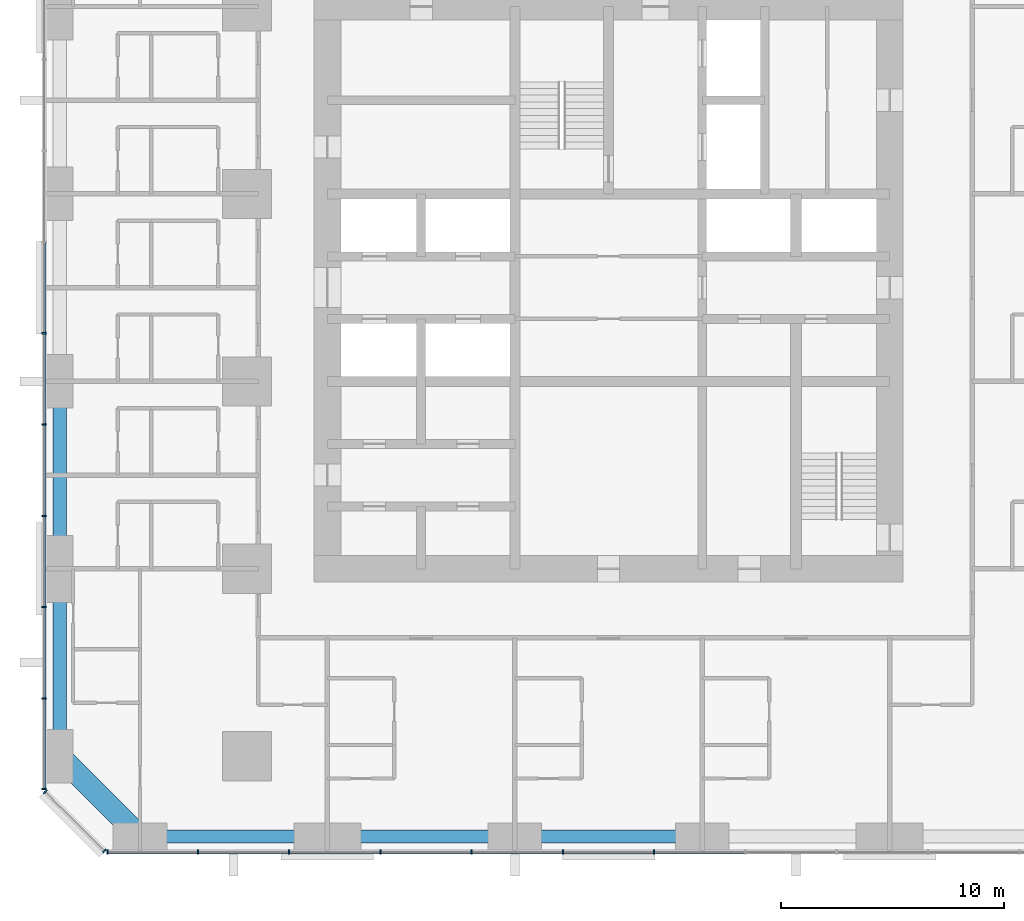
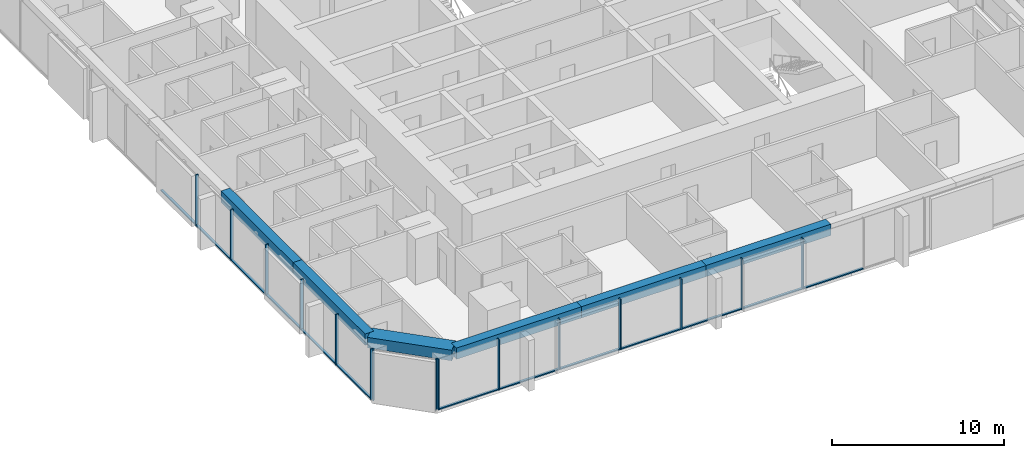
# One storey, part 2 of 13: 28 members, 6 beams, 3 elements without a shape of their own.
"""IFC4 building model written with IfcOpenShell, lengths in metres."""

import ifcopenshell
import ifcopenshell.guid

model = None  # the IFC model being written
_history = None  # IfcOwnerHistory: only IFC2X3 demands one
_inside = {}  # id of a spatial element -> (the spatial element, [elements in it])
_under = {}  # id of a project, library or spatial element -> (it, [spatial elements below it])
_declared = {}  # id of a project -> (the project, [libraries it declares])
_typed = {}  # id of a type object -> (the type object, [elements of that type])
_made_of = {}  # id of a material, layer set ... -> (it, [elements and type objects made of it])


def new_model(schema):
    """Start an empty IFC model of exactly this schema.

    Asked for "IFC4X3", IfcOpenShell would pick the latest addendum, in which some entities
    have other attributes; the version numbers below select the first issue.
    IFC2X3 requires an IfcOwnerHistory on every rooted entity: one is made here for all.
    """
    global model, _history
    if schema == "IFC4X3":
        model = ifcopenshell.file(schema_version=(4, 3, 0, 0))
    else:
        model = ifcopenshell.file(schema=schema)
    _inside.clear()
    _under.clear()
    _declared.clear()
    _typed.clear()
    _made_of.clear()
    _history = None
    if model.schema == "IFC2X3":
        org = make("IfcOrganization", Name="unknown")
        user = make(
            "IfcPersonAndOrganization",
            ThePerson=make("IfcPerson", FamilyName="unknown"),
            TheOrganization=org,
        )
        app = make(
            "IfcApplication",
            ApplicationDeveloper=org,
            Version="unknown",
            ApplicationFullName="unknown",
            ApplicationIdentifier="unknown",
        )
        _history = make(
            "IfcOwnerHistory",
            OwningUser=user,
            OwningApplication=app,
            ChangeAction="ADDED",
            CreationDate=0,
        )
    return model


def make(cls, **values):
    """One entity of the class cls with the attributes given. An attribute that is None is left unset."""
    return model.create_entity(
        cls, **{name: value for name, value in values.items() if value is not None}
    )


def rooted(cls, **values):
    """An entity with a GlobalId (a new one), such as an element, a storey or a relation."""
    return make(cls, GlobalId=ifcopenshell.guid.new(), OwnerHistory=_history, **values)


def si_unit(unit_type, name, prefix=None):
    """IfcSIUnit, for example si_unit("LENGTHUNIT", "METRE", prefix="MILLI")."""
    return make("IfcSIUnit", UnitType=unit_type, Prefix=prefix, Name=name)


def assignment(units):
    """IfcUnitAssignment: the units of a project."""
    return None if units is None else make("IfcUnitAssignment", Units=units)


def point(xyz):
    """IfcCartesianPoint."""
    return None if xyz is None else make("IfcCartesianPoint", Coordinates=xyz)


def direction(xyz):
    """IfcDirection."""
    return None if xyz is None else make("IfcDirection", DirectionRatios=xyz)


def frame(location, z_axis=None, x_axis=None):
    """IfcAxis2Placement3D, a coordinate frame: its origin and axes. An axis left out is left unset."""
    return make(
        "IfcAxis2Placement3D",
        Location=point(location),
        Axis=direction(z_axis),
        RefDirection=direction(x_axis),
    )


def frame_2d(location, x_axis=None):
    """IfcAxis2Placement2D, a coordinate frame in the plane: its origin and x axis."""
    return make(
        "IfcAxis2Placement2D", Location=point(location), RefDirection=direction(x_axis)
    )


def origin():
    """The frame at (0, 0, 0) with its axes left unset."""
    return frame((0.0, 0.0, 0.0))


def origin_2d():
    """The frame at (0, 0) in the plane with its x axis left unset."""
    return frame_2d((0.0, 0.0))


def place(relative_to, where):
    """IfcLocalPlacement: puts the frame where relative to a parent placement (None: the world)."""
    return make(
        "IfcLocalPlacement", PlacementRelTo=relative_to, RelativePlacement=where
    )


def context(
    kind, dimensions, precision=None, world=None, true_north=None, identifier=None
):
    """IfcGeometricRepresentationContext, for example the 3D "Model" context."""
    return make(
        "IfcGeometricRepresentationContext",
        ContextIdentifier=identifier,
        ContextType=kind,
        CoordinateSpaceDimension=dimensions,
        Precision=precision,
        WorldCoordinateSystem=world,
        TrueNorth=true_north,
    )


def subcontext(parent, identifier, kind, view, scale=None):
    """IfcGeometricRepresentationSubContext, for example "Body" below "Model"."""
    return make(
        "IfcGeometricRepresentationSubContext",
        ContextIdentifier=identifier,
        ContextType=kind,
        ParentContext=parent,
        TargetScale=scale,
        TargetView=view,
    )


def project(units=None, contexts=None):
    """IfcProject with its units and contexts."""
    return rooted(
        "IfcProject",
        Name="project",
        RepresentationContexts=contexts,
        UnitsInContext=assignment(units),
    )


def spatial(cls, under=None, at=None, **own):
    """A site, building, storey or space (cls), placed at a placement, below another one or the project."""
    s = rooted(cls, ObjectPlacement=at, **own)
    if under is not None:
        _under.setdefault(under.id(), (under, []))[1].append(s)
    return s


def profile(cls, at=None, kind="AREA", **sizes):
    """A parametric profile (cls). Its sizes go by their IFC names, for example OverallWidth=200.0."""
    return make(cls, ProfileType=kind, Position=at, **sizes)


def rectangle(**sizes):
    """IfcRectangleProfileDef."""
    return profile("IfcRectangleProfileDef", **sizes)


def extrude(swept, where, along, depth):
    """IfcExtrudedAreaSolid: the profile swept, set in the frame where, extruded along a direction by depth."""
    return make(
        "IfcExtrudedAreaSolid",
        SweptArea=swept,
        Position=where,
        ExtrudedDirection=direction(along),
        Depth=depth,
    )


def shape(context_of_items, identifier, shape_type, items):
    """IfcShapeRepresentation: the items that make up one representation, for example the "Body"."""
    return make(
        "IfcShapeRepresentation",
        ContextOfItems=context_of_items,
        RepresentationIdentifier=identifier,
        RepresentationType=shape_type,
        Items=items,
    )


def material(Name=None, Category=None):
    """IfcMaterial."""
    return make("IfcMaterial", Name=Name, Category=Category)


def material_profile(
    of_material, cross_section, Name=None, Category=None, Priority=None
):
    """IfcMaterialProfile: a cross section and its material."""
    return make(
        "IfcMaterialProfile",
        Name=Name,
        Material=of_material,
        Profile=cross_section,
        Priority=Priority,
        Category=Category,
    )


def profile_set(profiles, Name=None, composite=None):
    """IfcMaterialProfileSet."""
    return make(
        "IfcMaterialProfileSet",
        Name=Name,
        MaterialProfiles=profiles,
        CompositeProfile=composite,
    )


def made_of(thing, what):
    """Note that an element or type object is made of a material, layer set ...; save() writes the relation."""
    if what is not None:
        _made_of.setdefault(what.id(), (what, []))[1].append(thing)
    return thing


def type_object(cls, material=None, **own):
    """A type object (cls), such as IfcWallType, which elements share."""
    return made_of(rooted(cls, **own), material)


def element(
    cls,
    number,
    at=None,
    inside=None,
    cuts=None,
    type_object=None,
    material=None,
    context=None,
    identifier="Body",
    shape_type=None,
    held_by="IfcProductDefinitionShape",
    body=None,
    shapes=None,
    **own,
):
    """One element of the class cls, such as IfcWall. Its Tag is "e" and its number.

    at: its placement. inside: the storey or other place that contains it. cuts: it is an
    opening in that element (IfcRelVoidsElement). A single representation is given by context,
    identifier, shape_type and body (its items); several are given by shapes. held_by: the class
    of the entity that holds the representations. save() writes the other relations.
    """
    e = rooted(cls, Tag="e%d" % number, ObjectPlacement=at, **own)
    if body is not None:
        shapes = [shape(context, identifier, shape_type, body)]
    if shapes is not None:
        e.Representation = make(held_by, Representations=shapes)
    if inside is not None:
        _inside.setdefault(inside.id(), (inside, []))[1].append(e)
    if cuts is not None:
        rooted(
            "IfcRelVoidsElement", RelatingBuildingElement=cuts, RelatedOpeningElement=e
        )
    if type_object is not None:
        _typed.setdefault(type_object.id(), (type_object, []))[1].append(e)
    return made_of(e, material)


def aggregate(whole, parts):
    """IfcRelAggregates: a whole, such as a stair, and the parts it consists of."""
    return rooted("IfcRelAggregates", RelatingObject=whole, RelatedObjects=parts)


def save(model, path):
    """Write the relations noted so far, then the file.

    IfcRelAggregates (storeys below a building ...), IfcRelContainedInSpatialStructure (elements
    in a storey), IfcRelDefinesByType, IfcRelAssociatesMaterial and IfcRelDeclares: one each for
    every whole, place, type object, material and project.
    """
    for whole, parts in _under.values():
        aggregate(whole, parts)
    for where, things in _inside.values():
        rooted(
            "IfcRelContainedInSpatialStructure",
            RelatedElements=things,
            RelatingStructure=where,
        )
    for kind, things in _typed.values():
        rooted("IfcRelDefinesByType", RelatedObjects=things, RelatingType=kind)
    for what, things in _made_of.values():
        rooted("IfcRelAssociatesMaterial", RelatedObjects=things, RelatingMaterial=what)
    for by, libraries in _declared.values():
        rooted("IfcRelDeclares", RelatingContext=by, RelatedDefinitions=libraries)
    model.write(path)


model = new_model("IFC4")

# Units and contexts
model_context = context("Model", 3, precision=1e-05, world=origin(), true_north=direction((0.0, 1.0)))
body_context = subcontext(model_context, "Body", "Model", "MODEL_VIEW")
ifc_project = project(units=[si_unit("LENGTHUNIT", "METRE"), si_unit("AREAUNIT", "SQUARE_METRE"), si_unit("VOLUMEUNIT", "CUBIC_METRE"), si_unit("PLANEANGLEUNIT", "RADIAN"), si_unit("MASSUNIT", "GRAM", prefix="KILO")], contexts=[model_context])

# Site, building, storey
site_placement = place(None, origin())
site = spatial("IfcSite", under=ifc_project, at=site_placement, CompositionType="ELEMENT")
building_placement = place(site_placement, origin())
building = spatial("IfcBuilding", under=site, at=building_placement, Name="Dunama Terrace Hotel", CompositionType="ELEMENT")
storey_placement = place(building_placement, frame((0.0, 0.0, 162.60009765625)))
storey = spatial("IfcBuildingStorey", under=building, at=storey_placement, Name="L41", CompositionType="ELEMENT", Elevation=162.60009765625)

# Curtain wall, members
ifc_material_1 = material(Name="Aluminium curtain wall system", Category="aluminium")
curtain_wall_type = type_object("IfcCurtainWallType", Name="Unitised fritted glass wall CW-C", PredefinedType="NOTDEFINED", material=ifc_material_1)
curtain_wall_1_placement = place(storey_placement, origin())
curtain_wall_1 = element("IfcCurtainWall", 1, at=curtain_wall_1_placement, inside=storey, type_object=curtain_wall_type, Name="Unitised fritted glass wall CW-C L41", PredefinedType="NOTDEFINED")
ifc_material_2 = material(Name="Aluminium mullion", Category="aluminium")
ifc_material_profile_1 = material_profile(ifc_material_2, rectangle(XDim=0.070068359375, YDim=0.199951171875, at=origin_2d()), Name="CWC MULLION 70X200")
ifc_profile_set_1 = profile_set([ifc_material_profile_1], Name="Aluminium mullion")
member_type_1 = type_object("IfcMemberType", Name="CWC mullion 70x200", PredefinedType="MULLION", material=ifc_profile_set_1)
member_1_placement = place(storey_placement, frame((6.93505859375, 4.10009765625, 0.0), z_axis=(0.0, 0.0, 1.0), x_axis=(1.0, 0.0, 0.0)))
member_1 = element("IfcMember", 2, at=member_1_placement, type_object=member_type_1, Name="CWC mullion", PredefinedType="MULLION", context=body_context, shape_type="SweptSolid", body=[
    extrude(rectangle(XDim=0.070068359375, YDim=0.199951171875, at=origin_2d()), origin(), (0.0, 0.0, 1.0), 3.599853515625),
])
member_2_placement = place(storey_placement, frame((10.990966796875, 4.10009765625, 0.0), z_axis=(0.0, 0.0, 1.0), x_axis=(1.0, 0.0, 0.0)))
member_2 = element("IfcMember", 3, at=member_2_placement, type_object=member_type_1, Name="CWC mullion", PredefinedType="MULLION", context=body_context, shape_type="SweptSolid", body=[
    extrude(rectangle(XDim=0.070068359375, YDim=0.199951171875, at=origin_2d()), origin(), (0.0, 0.0, 1.0), 3.599853515625),
])
member_3_placement = place(storey_placement, frame((15.08203125, 4.10009765625, 0.0), z_axis=(0.0, 0.0, 1.0), x_axis=(1.0, 0.0, 0.0)))
member_3 = element("IfcMember", 4, at=member_3_placement, type_object=member_type_1, Name="CWC mullion", PredefinedType="MULLION", context=body_context, shape_type="SweptSolid", body=[
    extrude(rectangle(XDim=0.070068359375, YDim=0.199951171875, at=origin_2d()), origin(), (0.0, 0.0, 1.0), 3.599853515625),
])
member_4_placement = place(storey_placement, frame((19.173095703125, 4.10009765625, 0.0), z_axis=(0.0, 0.0, 1.0), x_axis=(1.0, 0.0, 0.0)))
member_4 = element("IfcMember", 5, at=member_4_placement, type_object=member_type_1, Name="CWC mullion", PredefinedType="MULLION", context=body_context, shape_type="SweptSolid", body=[
    extrude(rectangle(XDim=0.070068359375, YDim=0.199951171875, at=origin_2d()), origin(), (0.0, 0.0, 1.0), 3.599853515625),
])
member_5_placement = place(storey_placement, frame((23.263916015625, 4.10009765625, 0.0), z_axis=(0.0, 0.0, 1.0), x_axis=(1.0, 0.0, 0.0)))
member_5 = element("IfcMember", 6, at=member_5_placement, type_object=member_type_1, Name="CWC mullion", PredefinedType="MULLION", context=body_context, shape_type="SweptSolid", body=[
    extrude(rectangle(XDim=0.070068359375, YDim=0.199951171875, at=origin_2d()), origin(), (0.0, 0.0, 1.0), 3.599853515625),
])
member_6_placement = place(storey_placement, frame((27.35498046875, 4.10009765625, 0.0), z_axis=(0.0, 0.0, 1.0), x_axis=(1.0, 0.0, 0.0)))
member_6 = element("IfcMember", 7, at=member_6_placement, type_object=member_type_1, Name="CWC mullion", PredefinedType="MULLION", context=body_context, shape_type="SweptSolid", body=[
    extrude(rectangle(XDim=0.070068359375, YDim=0.199951171875, at=origin_2d()), origin(), (0.0, 0.0, 1.0), 3.599853515625),
])
member_7_placement = place(storey_placement, frame((31.445068359375, 4.10009765625, 0.0), z_axis=(0.0, 0.0, 1.0), x_axis=(1.0, 0.0, 0.0)))
member_7 = element("IfcMember", 8, at=member_7_placement, type_object=member_type_1, Name="CWC mullion", PredefinedType="MULLION", context=body_context, shape_type="SweptSolid", body=[
    extrude(rectangle(XDim=0.070068359375, YDim=0.199951171875, at=origin_2d()), origin(), (0.0, 0.0, 1.0), 3.599853515625),
])

curtain_wall_2_placement = place(storey_placement, origin())
curtain_wall_2 = element("IfcCurtainWall", 9, at=curtain_wall_2_placement, inside=storey, type_object=curtain_wall_type, Name="Unitised fritted glass wall CW-C L41", PredefinedType="NOTDEFINED")
member_8_placement = place(storey_placement, frame((4.10009765625, 27.35498046875, 0.0), z_axis=(0.0, 0.0, 1.0), x_axis=(0.0, -1.0, 0.0)))
member_8 = element("IfcMember", 10, at=member_8_placement, type_object=member_type_1, Name="CWC mullion", PredefinedType="MULLION", context=body_context, shape_type="SweptSolid", body=[
    extrude(rectangle(XDim=0.070068359375, YDim=0.199951171875, at=origin_2d()), origin(), (0.0, 0.0, 1.0), 3.599853515625),
])
member_9_placement = place(storey_placement, frame((4.10009765625, 23.263916015625, 0.0), z_axis=(0.0, 0.0, 1.0), x_axis=(0.0, -1.0, 0.0)))
member_9 = element("IfcMember", 11, at=member_9_placement, type_object=member_type_1, Name="CWC mullion", PredefinedType="MULLION", context=body_context, shape_type="SweptSolid", body=[
    extrude(rectangle(XDim=0.070068359375, YDim=0.199951171875, at=origin_2d()), origin(), (0.0, 0.0, 1.0), 3.599853515625),
])
member_10_placement = place(storey_placement, frame((4.10009765625, 19.173095703125, 0.0), z_axis=(0.0, 0.0, 1.0), x_axis=(0.0, -1.0, 0.0)))
member_10 = element("IfcMember", 12, at=member_10_placement, type_object=member_type_1, Name="CWC mullion", PredefinedType="MULLION", context=body_context, shape_type="SweptSolid", body=[
    extrude(rectangle(XDim=0.070068359375, YDim=0.199951171875, at=origin_2d()), origin(), (0.0, 0.0, 1.0), 3.599853515625),
])
member_11_placement = place(storey_placement, frame((4.10009765625, 15.08203125, 0.0), z_axis=(0.0, 0.0, 1.0), x_axis=(0.0, -1.0, 0.0)))
member_11 = element("IfcMember", 13, at=member_11_placement, type_object=member_type_1, Name="CWC mullion", PredefinedType="MULLION", context=body_context, shape_type="SweptSolid", body=[
    extrude(rectangle(XDim=0.070068359375, YDim=0.199951171875, at=origin_2d()), origin(), (0.0, 0.0, 1.0), 3.599853515625),
])
member_12_placement = place(storey_placement, frame((4.10009765625, 10.990966796875, 0.0), z_axis=(0.0, 0.0, 1.0), x_axis=(0.0, -1.0, 0.0)))
member_12 = element("IfcMember", 14, at=member_12_placement, type_object=member_type_1, Name="CWC mullion", PredefinedType="MULLION", context=body_context, shape_type="SweptSolid", body=[
    extrude(rectangle(XDim=0.070068359375, YDim=0.199951171875, at=origin_2d()), origin(), (0.0, 0.0, 1.0), 3.599853515625),
])
member_13_placement = place(storey_placement, frame((4.10009765625, 6.93505859375, 0.0), z_axis=(0.0, 0.0, 1.0), x_axis=(0.0, -1.0, 0.0)))
member_13 = element("IfcMember", 15, at=member_13_placement, type_object=member_type_1, Name="CWC mullion", PredefinedType="MULLION", context=body_context, shape_type="SweptSolid", body=[
    extrude(rectangle(XDim=0.070068359375, YDim=0.199951171875, at=origin_2d()), origin(), (0.0, 0.0, 1.0), 3.599853515625),
])

curtain_wall_3_placement = place(storey_placement, origin())
curtain_wall_3 = element("IfcCurtainWall", 16, at=curtain_wall_3_placement, inside=storey, type_object=curtain_wall_type, Name="Unitised fritted glass wall CW-C L41", PredefinedType="NOTDEFINED")
member_14_placement = place(storey_placement, frame((4.154052734375, 6.804931640625, 0.0), z_axis=(0.0, 0.0, 1.0), x_axis=(0.707106781187, -0.707106781187, 0.0)))
member_14 = element("IfcMember", 17, at=member_14_placement, type_object=member_type_1, Name="CWC mullion", PredefinedType="MULLION", context=body_context, shape_type="SweptSolid", body=[
    extrude(rectangle(XDim=0.070068359375, YDim=0.199951171875, at=origin_2d()), origin(), (0.0, 0.0, 1.0), 3.599853515625),
])
member_15_placement = place(storey_placement, frame((6.804931640625, 4.154052734375, 0.0), z_axis=(0.0, 0.0, 1.0), x_axis=(0.707106781187, -0.707106781187, 0.0)))
member_15 = element("IfcMember", 18, at=member_15_placement, type_object=member_type_1, Name="CWC mullion", PredefinedType="MULLION", context=body_context, shape_type="SweptSolid", body=[
    extrude(rectangle(XDim=0.070068359375, YDim=0.199951171875, at=origin_2d()), origin(), (0.0, 0.0, 1.0), 3.599853515625),
])
aggregate(curtain_wall_3, [member_14, member_15])

# Member
ifc_material_3 = material(Name="Aluminium transom", Category="aluminium")
ifc_material_profile_2 = material_profile(ifc_material_3, rectangle(XDim=0.159912109375, YDim=0.080078125, at=origin_2d()), Name="CWC TRANSOM 160X80")
ifc_profile_set_2 = profile_set([ifc_material_profile_2], Name="Aluminium transom")
member_type_2 = type_object("IfcMemberType", Name="CWC transom 160x80", PredefinedType="USERDEFINED", material=ifc_profile_set_2)
member_16_placement = place(storey_placement, frame((6.969970703125, 4.10009765625, 0.039794921875), z_axis=(1.0, 0.0, 0.0), x_axis=(0.0, 1.0, 0.0)))
member_16 = element("IfcMember", 19, at=member_16_placement, type_object=member_type_2, Name="CWC transom", ObjectType="TRANSOM", PredefinedType="USERDEFINED", context=body_context, shape_type="SweptSolid", body=[
    extrude(rectangle(XDim=0.159912109375, YDim=0.080078125, at=origin_2d()), origin(), (0.0, 0.0, 1.0), 3.986083984375),
])

member_17_placement = place(storey_placement, frame((11.02587890625, 4.10009765625, 0.039794921875), z_axis=(1.0, 0.0, 0.0), x_axis=(0.0, 1.0, 0.0)))
member_17 = element("IfcMember", 20, at=member_17_placement, type_object=member_type_2, Name="CWC transom", ObjectType="TRANSOM", PredefinedType="USERDEFINED", context=body_context, shape_type="SweptSolid", body=[
    extrude(rectangle(XDim=0.159912109375, YDim=0.080078125, at=origin_2d()), origin(), (0.0, 0.0, 1.0), 4.021240234375),
])

member_18_placement = place(storey_placement, frame((15.116943359375, 4.10009765625, 0.039794921875), z_axis=(1.0, 0.0, 0.0), x_axis=(0.0, 1.0, 0.0)))
member_18 = element("IfcMember", 21, at=member_18_placement, type_object=member_type_2, Name="CWC transom", ObjectType="TRANSOM", PredefinedType="USERDEFINED", context=body_context, shape_type="SweptSolid", body=[
    extrude(rectangle(XDim=0.159912109375, YDim=0.080078125, at=origin_2d()), origin(), (0.0, 0.0, 1.0), 4.02099609375),
])

member_19_placement = place(storey_placement, frame((19.2080078125, 4.10009765625, 0.039794921875), z_axis=(1.0, 0.0, 0.0), x_axis=(0.0, 1.0, 0.0)))
member_19 = element("IfcMember", 22, at=member_19_placement, type_object=member_type_2, Name="CWC transom", ObjectType="TRANSOM", PredefinedType="USERDEFINED", context=body_context, shape_type="SweptSolid", body=[
    extrude(rectangle(XDim=0.159912109375, YDim=0.080078125, at=origin_2d()), origin(), (0.0, 0.0, 1.0), 4.02099609375),
])

member_20_placement = place(storey_placement, frame((23.299072265625, 4.10009765625, 0.039794921875), z_axis=(1.0, 0.0, 0.0), x_axis=(0.0, 1.0, 0.0)))
member_20 = element("IfcMember", 23, at=member_20_placement, type_object=member_type_2, Name="CWC transom", ObjectType="TRANSOM", PredefinedType="USERDEFINED", context=body_context, shape_type="SweptSolid", body=[
    extrude(rectangle(XDim=0.159912109375, YDim=0.080078125, at=origin_2d()), origin(), (0.0, 0.0, 1.0), 4.02099609375),
])

member_21_placement = place(storey_placement, frame((27.389892578125, 4.10009765625, 0.039794921875), z_axis=(1.0, 0.0, 0.0), x_axis=(0.0, 1.0, 0.0)))
member_21 = element("IfcMember", 24, at=member_21_placement, type_object=member_type_2, Name="CWC transom", ObjectType="TRANSOM", PredefinedType="USERDEFINED", context=body_context, shape_type="SweptSolid", body=[
    extrude(rectangle(XDim=0.159912109375, YDim=0.080078125, at=origin_2d()), origin(), (0.0, 0.0, 1.0), 4.02001953125),
])

member_22_placement = place(storey_placement, frame((31.47998046875, 4.10009765625, 0.039794921875), z_axis=(1.0, 0.0, 0.0), x_axis=(0.0, 1.0, 0.0)))
member_22 = element("IfcMember", 25, at=member_22_placement, type_object=member_type_2, Name="CWC transom", ObjectType="TRANSOM", PredefinedType="USERDEFINED", context=body_context, shape_type="SweptSolid", body=[
    extrude(rectangle(XDim=0.159912109375, YDim=0.080078125, at=origin_2d()), origin(), (0.0, 0.0, 1.0), 4.02099609375),
])

aggregate(curtain_wall_1, [member_1, member_2, member_3, member_4, member_5, member_6, member_7, member_16, member_17, member_18, member_19, member_20, member_21, member_22])

member_23_placement = place(storey_placement, frame((4.10009765625, 31.409912109375, 0.039794921875), z_axis=(0.0, -1.0, 0.0), x_axis=(1.0, 0.0, 0.0)))
member_23 = element("IfcMember", 26, at=member_23_placement, type_object=member_type_2, Name="CWC transom", ObjectType="TRANSOM", PredefinedType="USERDEFINED", context=body_context, shape_type="SweptSolid", body=[
    extrude(rectangle(XDim=0.159912109375, YDim=0.080078125, at=origin_2d()), origin(), (0.0, 0.0, 1.0), 4.02001953125),
])

member_24_placement = place(storey_placement, frame((4.10009765625, 27.320068359375, 0.039794921875), z_axis=(0.0, -1.0, 0.0), x_axis=(1.0, 0.0, 0.0)))
member_24 = element("IfcMember", 27, at=member_24_placement, type_object=member_type_2, Name="CWC transom", ObjectType="TRANSOM", PredefinedType="USERDEFINED", context=body_context, shape_type="SweptSolid", body=[
    extrude(rectangle(XDim=0.159912109375, YDim=0.080078125, at=origin_2d()), origin(), (0.0, 0.0, 1.0), 4.02099609375),
])

member_25_placement = place(storey_placement, frame((4.10009765625, 23.22900390625, 0.039794921875), z_axis=(0.0, -1.0, 0.0), x_axis=(1.0, 0.0, 0.0)))
member_25 = element("IfcMember", 28, at=member_25_placement, type_object=member_type_2, Name="CWC transom", ObjectType="TRANSOM", PredefinedType="USERDEFINED", context=body_context, shape_type="SweptSolid", body=[
    extrude(rectangle(XDim=0.159912109375, YDim=0.080078125, at=origin_2d()), origin(), (0.0, 0.0, 1.0), 4.02099609375),
])

member_26_placement = place(storey_placement, frame((4.10009765625, 19.137939453125, 0.039794921875), z_axis=(0.0, -1.0, 0.0), x_axis=(1.0, 0.0, 0.0)))
member_26 = element("IfcMember", 29, at=member_26_placement, type_object=member_type_2, Name="CWC transom", ObjectType="TRANSOM", PredefinedType="USERDEFINED", context=body_context, shape_type="SweptSolid", body=[
    extrude(rectangle(XDim=0.159912109375, YDim=0.080078125, at=origin_2d()), origin(), (0.0, 0.0, 1.0), 4.02099609375),
])

member_27_placement = place(storey_placement, frame((4.10009765625, 15.047119140625, 0.039794921875), z_axis=(0.0, -1.0, 0.0), x_axis=(1.0, 0.0, 0.0)))
member_27 = element("IfcMember", 30, at=member_27_placement, type_object=member_type_2, Name="CWC transom", ObjectType="TRANSOM", PredefinedType="USERDEFINED", context=body_context, shape_type="SweptSolid", body=[
    extrude(rectangle(XDim=0.159912109375, YDim=0.080078125, at=origin_2d()), origin(), (0.0, 0.0, 1.0), 4.021240234375),
])

member_28_placement = place(storey_placement, frame((4.10009765625, 10.9560546875, 0.039794921875), z_axis=(0.0, -1.0, 0.0), x_axis=(1.0, 0.0, 0.0)))
member_28 = element("IfcMember", 31, at=member_28_placement, type_object=member_type_2, Name="CWC transom", ObjectType="TRANSOM", PredefinedType="USERDEFINED", context=body_context, shape_type="SweptSolid", body=[
    extrude(rectangle(XDim=0.159912109375, YDim=0.080078125, at=origin_2d()), origin(), (0.0, 0.0, 1.0), 3.986083984375),
])

aggregate(curtain_wall_2, [member_8, member_9, member_10, member_11, member_12, member_13, member_23, member_24, member_25, member_26, member_27, member_28])

# Beams
ifc_material_4 = material(Name="Concrete C50/60", Category="concrete")
ifc_material_profile_3 = material_profile(ifc_material_4, rectangle(XDim=1.0, YDim=0.75, at=origin_2d()), Name="RC 1000x750")
ifc_profile_set_3 = profile_set([ifc_material_profile_3], Name="Concrete C50/60")
beam_type_1 = type_object("IfcBeamType", Name="Edge beam RC 1000x750", PredefinedType="SPANDREL", material=ifc_profile_set_3)
beam_1_placement = place(storey_placement, frame((8.39990234375, 4.800048828125, 3.224853515625), z_axis=(-0.707106781187, 0.707106781187, 0.0), x_axis=(-0.707106781187, -0.707106781187, 0.0)))
element("IfcBeam", 32, at=beam_1_placement, inside=storey, type_object=beam_type_1, Name="Corner edge beam under L42", PredefinedType="SPANDREL", context=body_context, shape_type="SweptSolid", body=[
    extrude(rectangle(XDim=1.0, YDim=0.75, at=origin_2d()), origin(), (0.0, 0.0, 1.0), 5.091064453125),
])
ifc_material_5 = material(Name="Concrete C40/50", Category="concrete")
ifc_material_profile_4 = material_profile(ifc_material_5, rectangle(XDim=0.60009765625, YDim=0.800048828125, at=origin_2d()), Name="RC 600x800")
ifc_profile_set_4 = profile_set([ifc_material_profile_4], Name="Concrete C40/50")
beam_type_2 = type_object("IfcBeamType", Name="Edge beam RC 600x800", PredefinedType="SPANDREL", material=ifc_profile_set_4)
beam_2_placement = place(storey_placement, frame((4.800048828125, 8.39990234375, 3.199951171875), z_axis=(0.0, 1.0, 0.0), x_axis=(-1.0, 0.0, 0.0)))
element("IfcBeam", 33, at=beam_2_placement, inside=storey, type_object=beam_type_2, Name="Edge beam under L42", PredefinedType="SPANDREL", context=body_context, shape_type="SweptSolid", body=[
    extrude(rectangle(XDim=0.60009765625, YDim=0.800048828125, at=origin_2d()), origin(), (0.0, 0.0, 1.0), 8.400146484375),
])
beam_3_placement = place(storey_placement, frame((4.800048828125, 16.800048828125, 3.199951171875), z_axis=(0.0, 1.0, 0.0), x_axis=(-1.0, 0.0, 0.0)))
element("IfcBeam", 34, at=beam_3_placement, inside=storey, type_object=beam_type_2, Name="Edge beam under L42", PredefinedType="SPANDREL", context=body_context, shape_type="SweptSolid", body=[
    extrude(rectangle(XDim=0.60009765625, YDim=0.800048828125, at=origin_2d()), origin(), (0.0, 0.0, 1.0), 8.39990234375),
])
beam_4_placement = place(storey_placement, frame((8.39990234375, 4.800048828125, 3.199951171875), z_axis=(1.0, 0.0, 0.0), x_axis=(0.0, 1.0, 0.0)))
element("IfcBeam", 35, at=beam_4_placement, inside=storey, type_object=beam_type_2, Name="Edge beam under L42", PredefinedType="SPANDREL", context=body_context, shape_type="SweptSolid", body=[
    extrude(rectangle(XDim=0.60009765625, YDim=0.800048828125, at=origin_2d()), origin(), (0.0, 0.0, 1.0), 8.400146484375),
])
beam_5_placement = place(storey_placement, frame((16.800048828125, 4.800048828125, 3.199951171875), z_axis=(1.0, 0.0, 0.0), x_axis=(0.0, 1.0, 0.0)))
element("IfcBeam", 36, at=beam_5_placement, inside=storey, type_object=beam_type_2, Name="Edge beam under L42", PredefinedType="SPANDREL", context=body_context, shape_type="SweptSolid", body=[
    extrude(rectangle(XDim=0.60009765625, YDim=0.800048828125, at=origin_2d()), origin(), (0.0, 0.0, 1.0), 8.39990234375),
])
beam_6_placement = place(storey_placement, frame((25.199951171875, 4.800048828125, 3.199951171875), z_axis=(1.0, 0.0, 0.0), x_axis=(0.0, 1.0, 0.0)))
element("IfcBeam", 37, at=beam_6_placement, inside=storey, type_object=beam_type_2, Name="Edge beam under L42", PredefinedType="SPANDREL", context=body_context, shape_type="SweptSolid", body=[
    extrude(rectangle(XDim=0.60009765625, YDim=0.800048828125, at=origin_2d()), origin(), (0.0, 0.0, 1.0), 8.400146484375),
])

save(model, "model.ifc")
